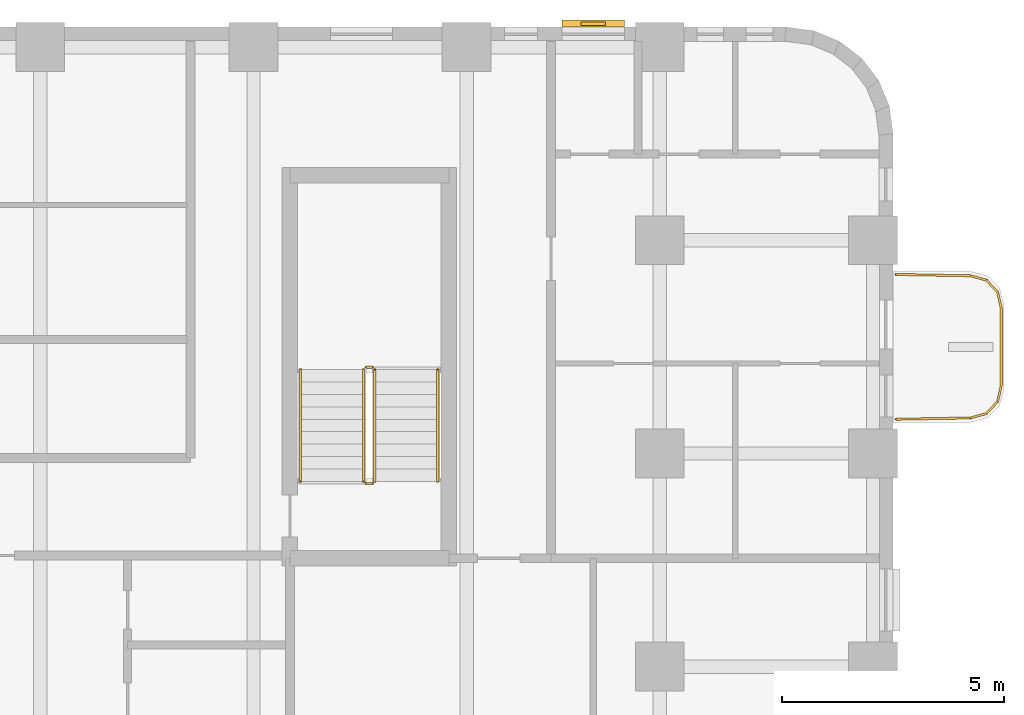
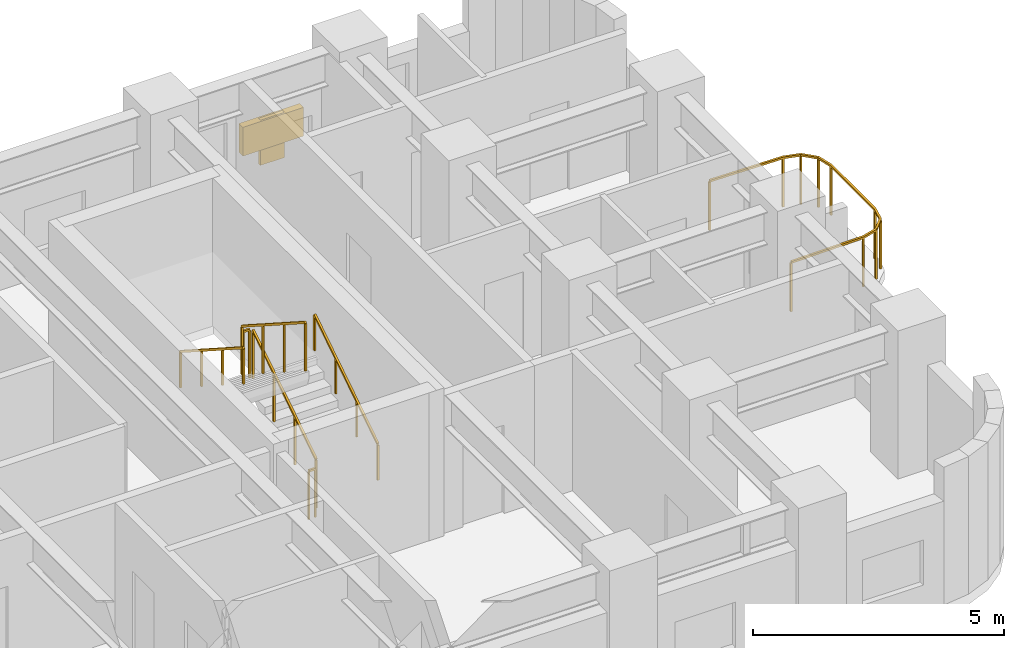
# One storey, part 12 of 12: 7 railings, 2 shading devices.
"""IFC4 building model written with IfcOpenShell, lengths in metres."""

from ifc_helpers import new_model, si_unit, direction, frame, origin, origin_2d, place, context, subcontext, project, spatial, rectangle, extrude, material, type_object, element, save


model = new_model("IFC4")

# Units and contexts
model_context = context("Model", 3, precision=1e-05, world=origin(), true_north=direction((0.0, 1.0)))
body_context = subcontext(model_context, "Body", "Model", "MODEL_VIEW")
ifc_project = project(units=[si_unit("LENGTHUNIT", "METRE"), si_unit("AREAUNIT", "SQUARE_METRE"), si_unit("VOLUMEUNIT", "CUBIC_METRE"), si_unit("PLANEANGLEUNIT", "RADIAN"), si_unit("MASSUNIT", "GRAM", prefix="KILO")], contexts=[model_context])

# Site, building, storey
site_placement = place(None, origin())
site = spatial("IfcSite", under=ifc_project, at=site_placement, CompositionType="ELEMENT")
building_placement = place(site_placement, origin())
building = spatial("IfcBuilding", under=site, at=building_placement, Name="Orvandelia Arch Residences", CompositionType="ELEMENT")
storey_placement = place(building_placement, frame((0.0, 0.0, 71.800048828125)))
storey = spatial("IfcBuildingStorey", under=building, at=storey_placement, Name="L18", CompositionType="ELEMENT", Elevation=71.800048828125)

# Railings
ifc_material_1 = material(Name="Marine-Grade Stainless Steel 316", Category="steel")
railing_type_1 = type_object("IfcRailingType", Name="GRD-BAL-1200", PredefinedType="BALUSTRADE", material=ifc_material_1)
railing_1_placement = place(storey_placement, frame((57.671875, 39.169677734375, 0.0)))
element("IfcRailing", 1, at=railing_1_placement, inside=storey, type_object=railing_type_1, Name="Safety Balustrade Guard GRD-L18-BAL-L18-E1-1", PredefinedType="BALUSTRADE", context=body_context, shape_type="SweptSolid", body=[
    extrude(rectangle(XDim=0.048095703125, YDim=0.048095703125, at=origin_2d()), frame((0.0, 0.0, 1.19580078125), z_axis=(0.999837384468, 0.018033430643, 0.0), x_axis=(-0.018033430643, 0.999837384468, 0.0)), (0.0, 0.0, 1.0), 1.6787109375),
    extrude(rectangle(XDim=0.048095703125, YDim=0.048095703125, at=origin_2d()), frame((1.678466796875, 0.0302734375, 1.19580078125), z_axis=(0.963441293861, 0.267919527627, 0.0), x_axis=(-0.267919527627, 0.963441293861, 0.0)), (0.0, 0.0, 1.0), 0.365478515625),
    extrude(rectangle(XDim=0.048095703125, YDim=0.048095703125, at=origin_2d()), frame((2.030517578125, 0.128173828125, 1.19580078125), z_axis=(0.688296224633, 0.725429739642, 0.0), x_axis=(-0.725429739642, 0.688296224633, 0.0)), (0.0, 0.0, 1.0), 0.3681640625),
    extrude(rectangle(XDim=0.048095703125, YDim=0.048095703125, at=origin_2d()), frame((2.283935546875, 0.395263671875, 1.19580078125), z_axis=(0.221225034864, 0.975222786828, 0.0), x_axis=(-0.975222786828, 0.221225034864, 0.0)), (0.0, 0.0, 1.0), 0.373046875),
    extrude(rectangle(XDim=0.048095703125, YDim=0.048095703125, at=origin_2d()), frame((2.366455078125, 0.759033203125, 1.19580078125), z_axis=(0.0, 1.0, 0.0), x_axis=(-1.0, 0.0, 0.0)), (0.0, 0.0, 1.0), 1.74267578125),
    extrude(rectangle(XDim=0.048095703125, YDim=0.048095703125, at=origin_2d()), frame((2.366455078125, 2.501708984375, 1.19580078125), z_axis=(-0.221225034864, 0.975222786828, 0.0), x_axis=(-0.975222786828, -0.221225034864, 0.0)), (0.0, 0.0, 1.0), 0.373046875),
    extrude(rectangle(XDim=0.048095703125, YDim=0.048095703125, at=origin_2d()), frame((2.283935546875, 2.865478515625, 1.19580078125), z_axis=(-0.688627404251, 0.725115368831, 0.0), x_axis=(-0.725115368831, -0.688627404251, 0.0)), (0.0, 0.0, 1.0), 0.367919921875),
    extrude(rectangle(XDim=0.048095703125, YDim=0.048095703125, at=origin_2d()), frame((2.030517578125, 3.13232421875, 1.19580078125), z_axis=(-0.963441293861, 0.267919527627, 0.0), x_axis=(-0.267919527627, -0.963441293861, 0.0)), (0.0, 0.0, 1.0), 0.365478515625),
    extrude(rectangle(XDim=0.048095703125, YDim=0.048095703125, at=origin_2d()), frame((1.678466796875, 3.230224609375, 1.19580078125), z_axis=(-0.999834751713, 0.018178813668, 0.0), x_axis=(-0.018178813668, -0.999834751713, 0.0)), (0.0, 0.0, 1.0), 1.6787109375),
    extrude(rectangle(XDim=0.0419921875, YDim=0.0419921875, at=origin_2d()), origin(), (0.0, 0.0, 1.0), 1.171875),
    extrude(rectangle(XDim=0.0419921875, YDim=0.0419921875, at=origin_2d()), frame((1.678466796875, 0.0302734375, 0.0)), (0.0, 0.0, 1.0), 1.171875),
    extrude(rectangle(XDim=0.0419921875, YDim=0.0419921875, at=origin_2d()), frame((2.030517578125, 0.128173828125, 0.0)), (0.0, 0.0, 1.0), 1.171875),
    extrude(rectangle(XDim=0.0419921875, YDim=0.0419921875, at=origin_2d()), frame((2.283935546875, 0.395263671875, 0.0)), (0.0, 0.0, 1.0), 1.171875),
    extrude(rectangle(XDim=0.0419921875, YDim=0.0419921875, at=origin_2d()), frame((2.366455078125, 0.759033203125, 0.0)), (0.0, 0.0, 1.0), 1.171875),
    extrude(rectangle(XDim=0.0419921875, YDim=0.0419921875, at=origin_2d()), frame((2.366455078125, 2.501708984375, 0.0)), (0.0, 0.0, 1.0), 1.171875),
    extrude(rectangle(XDim=0.0419921875, YDim=0.0419921875, at=origin_2d()), frame((2.283935546875, 2.865478515625, 0.0)), (0.0, 0.0, 1.0), 1.171875),
    extrude(rectangle(XDim=0.0419921875, YDim=0.0419921875, at=origin_2d()), frame((2.030517578125, 3.13232421875, 0.0)), (0.0, 0.0, 1.0), 1.171875),
    extrude(rectangle(XDim=0.0419921875, YDim=0.0419921875, at=origin_2d()), frame((1.678466796875, 3.230224609375, 0.0)), (0.0, 0.0, 1.0), 1.171875),
    extrude(rectangle(XDim=0.0419921875, YDim=0.0419921875, at=origin_2d()), frame((0.0, 3.2607421875, 0.0)), (0.0, 0.0, 1.0), 1.171875),
])
ifc_material_2 = material(Name="Brushed Stainless Steel 304", Category="steel")
railing_type_2 = type_object("IfcRailingType", Name="RL-STAIR-GD1120", PredefinedType="GUARDRAIL", material=ifc_material_2)
railing_2_placement = place(storey_placement, frame((45.929931640625, 37.77001953125, 0.179931640625)))
element("IfcRailing", 2, at=railing_2_placement, inside=storey, type_object=railing_type_2, Name="L18 ST-3 stair guard 1", PredefinedType="GUARDRAIL", context=body_context, shape_type="SweptSolid", body=[
    extrude(rectangle(XDim=0.048095703125, YDim=0.048095703125, at=origin_2d()), frame((0.0, 0.0, 1.17578125), z_axis=(0.0, 0.841162588446, 0.540782303519), x_axis=(-1.0, 0.0, 0.0)), (0.0, 0.0, 1.0), 2.995849609375),
    extrude(rectangle(XDim=0.0419921875, YDim=0.0419921875, at=origin_2d()), origin(), (0.0, 0.0, 1.0), 1.15185546875),
    extrude(rectangle(XDim=0.0419921875, YDim=0.0419921875, at=origin_2d()), frame((0.0, 0.840087890625, 0.5400390625)), (0.0, 0.0, 1.0), 1.15185546875),
    extrude(rectangle(XDim=0.0419921875, YDim=0.0419921875, at=origin_2d()), frame((0.0, 1.679931640625, 1.080078125)), (0.0, 0.0, 1.0), 1.15185546875),
    extrude(rectangle(XDim=0.0419921875, YDim=0.0419921875, at=origin_2d()), frame((0.0, 2.52001953125, 1.6201171875)), (0.0, 0.0, 1.0), 1.15185546875),
])
railing_3_placement = place(storey_placement, frame((45.8798828125, 40.340087890625, 1.800048828125)))
element("IfcRailing", 3, at=railing_3_placement, inside=storey, type_object=railing_type_2, Name="L18 ST-3 stair guard 2", PredefinedType="GUARDRAIL", context=body_context, shape_type="SweptSolid", body=[
    extrude(rectangle(XDim=0.048095703125, YDim=0.048095703125, at=origin_2d()), frame((0.0, 0.0, 1.17578125), z_axis=(-1.0, 0.0, 0.0), x_axis=(0.0, -1.0, 0.0)), (0.0, 0.0, 1.0), 0.14990234375),
    extrude(rectangle(XDim=0.0419921875, YDim=0.0419921875, at=origin_2d()), origin(), (0.0, 0.0, 1.0), 1.15185546875),
    extrude(rectangle(XDim=0.0419921875, YDim=0.0419921875, at=origin_2d()), frame((-0.14990234375, 0.0, 0.0)), (0.0, 0.0, 1.0), 1.15185546875),
])
railing_4_placement = place(storey_placement, frame((45.679931640625, 40.2900390625, 1.97998046875)))
element("IfcRailing", 4, at=railing_4_placement, inside=storey, type_object=railing_type_2, Name="L18 ST-3 stair guard 3", PredefinedType="GUARDRAIL", context=body_context, shape_type="SweptSolid", body=[
    extrude(rectangle(XDim=0.048095703125, YDim=0.048095703125, at=origin_2d()), frame((0.0, 0.0, 1.17578125), z_axis=(0.0, -0.841199657755, 0.540724639528), x_axis=(1.0, 0.0, 0.0)), (0.0, 0.0, 1.0), 2.995849609375),
    extrude(rectangle(XDim=0.0419921875, YDim=0.0419921875, at=origin_2d()), origin(), (0.0, 0.0, 1.0), 1.15185546875),
    extrude(rectangle(XDim=0.0419921875, YDim=0.0419921875, at=origin_2d()), frame((0.0, -0.840087890625, 0.5400390625)), (0.0, 0.0, 1.0), 1.15185546875),
    extrude(rectangle(XDim=0.0419921875, YDim=0.0419921875, at=origin_2d()), frame((0.0, -1.679931640625, 1.079833984375)), (0.0, 0.0, 1.0), 1.15185546875),
    extrude(rectangle(XDim=0.0419921875, YDim=0.0419921875, at=origin_2d()), frame((0.0, -2.52001953125, 1.619873046875)), (0.0, 0.0, 1.0), 1.15185546875),
])
railing_5_placement = place(storey_placement, frame((45.8798828125, 37.719970703125, 0.0)))
element("IfcRailing", 5, at=railing_5_placement, inside=storey, type_object=railing_type_2, Name="L18 ST-3 stair guard 4", PredefinedType="GUARDRAIL", context=body_context, shape_type="SweptSolid", body=[
    extrude(rectangle(XDim=0.048095703125, YDim=0.048095703125, at=origin_2d()), frame((0.0, 0.0, 1.17578125), z_axis=(-1.0, 0.0, 0.0), x_axis=(0.0, -1.0, 0.0)), (0.0, 0.0, 1.0), 0.14990234375),
    extrude(rectangle(XDim=0.0419921875, YDim=0.0419921875, at=origin_2d()), origin(), (0.0, 0.0, 1.0), 1.15185546875),
    extrude(rectangle(XDim=0.0419921875, YDim=0.0419921875, at=origin_2d()), frame((-0.14990234375, 0.0, 0.0)), (0.0, 0.0, 1.0), 1.15185546875),
])
railing_type_3 = type_object("IfcRailingType", Name="RL-STAIR-HR920", PredefinedType="HANDRAIL", material=ifc_material_2)
railing_6_placement = place(storey_placement, frame((47.35009765625, 37.77001953125, 0.35986328125)))
element("IfcRailing", 6, at=railing_6_placement, inside=storey, type_object=railing_type_3, Name="L18 ST-3 stair handrail 1", PredefinedType="HANDRAIL", context=body_context, shape_type="SweptSolid", body=[
    extrude(rectangle(XDim=0.048095703125, YDim=0.048095703125, at=origin_2d()), frame((0.0, 0.0, 0.8759765625), z_axis=(0.0, 0.841162588446, 0.540782303519), x_axis=(-1.0, 0.0, 0.0)), (0.0, 0.0, 1.0), 2.995849609375),
    extrude(rectangle(XDim=0.0419921875, YDim=0.0419921875, at=origin_2d()), origin(), (0.0, 0.0, 1.0), 0.851806640625),
    extrude(rectangle(XDim=0.0419921875, YDim=0.0419921875, at=origin_2d()), frame((0.0, 0.840087890625, 0.5400390625)), (0.0, 0.0, 1.0), 0.851806640625),
    extrude(rectangle(XDim=0.0419921875, YDim=0.0419921875, at=origin_2d()), frame((0.0, 1.679931640625, 1.080078125)), (0.0, 0.0, 1.0), 0.851806640625),
    extrude(rectangle(XDim=0.0419921875, YDim=0.0419921875, at=origin_2d()), frame((0.0, 2.52001953125, 1.6201171875)), (0.0, 0.0, 1.0), 0.851806640625),
])
railing_7_placement = place(storey_placement, frame((44.260009765625, 40.2900390625, 2.159912109375)))
element("IfcRailing", 7, at=railing_7_placement, inside=storey, type_object=railing_type_3, Name="L18 ST-3 stair handrail 2", PredefinedType="HANDRAIL", context=body_context, shape_type="SweptSolid", body=[
    extrude(rectangle(XDim=0.048095703125, YDim=0.048095703125, at=origin_2d()), frame((0.0, 0.0, 0.8759765625), z_axis=(0.0, -0.841162588446, 0.540782303519), x_axis=(1.0, 0.0, 0.0)), (0.0, 0.0, 1.0), 2.995849609375),
    extrude(rectangle(XDim=0.0419921875, YDim=0.0419921875, at=origin_2d()), origin(), (0.0, 0.0, 1.0), 0.851806640625),
    extrude(rectangle(XDim=0.0419921875, YDim=0.0419921875, at=origin_2d()), frame((0.0, -0.840087890625, 0.5400390625)), (0.0, 0.0, 1.0), 0.851806640625),
    extrude(rectangle(XDim=0.0419921875, YDim=0.0419921875, at=origin_2d()), frame((0.0, -1.679931640625, 1.080078125)), (0.0, 0.0, 1.0), 0.851806640625),
    extrude(rectangle(XDim=0.0419921875, YDim=0.0419921875, at=origin_2d()), frame((0.0, -2.52001953125, 1.6201171875)), (0.0, 0.0, 1.0), 0.851806640625),
])

# Shading devices
ifc_material_3 = material(Name="Anodised Champagne-Bronze Extruded Aluminium", Category="aluminium")
shading_device_type_1 = type_object("IfcShadingDeviceType", Name="SHD-JALOUSIE-SCREEN", PredefinedType="JALOUSIE", material=ifc_material_3)
shading_device_1_placement = place(storey_placement, frame((50.85009765625, 48.080078125, 1.0498046875), z_axis=(0.0, 0.0, 1.0), x_axis=(1.0, 0.0, 0.0)))
element("IfcShadingDevice", 8, at=shading_device_1_placement, inside=storey, type_object=shading_device_type_1, Name="Bronze Jalousie Sun-Shade L18-003", PredefinedType="JALOUSIE", context=body_context, shape_type="SweptSolid", body=[
    extrude(rectangle(XDim=1.39990234375, YDim=0.159912109375, at=origin_2d()), origin(), (0.0, 0.0, 1.0), 0.699951171875),
])
ifc_material_4 = material(Name="Marine-Grade Perforated Aluminium Storm Shutter", Category="aluminium")
shading_device_type_2 = type_object("IfcShadingDeviceType", Name="SHD-STORM-SHUTTER", PredefinedType="SHUTTER", material=ifc_material_4)
shading_device_2_placement = place(storey_placement, frame((50.85009765625, 48.080078125, 0.64990234375), z_axis=(0.0, 0.0, 1.0), x_axis=(1.0, 0.0, 0.0)))
element("IfcShadingDevice", 9, at=shading_device_2_placement, inside=storey, type_object=shading_device_type_2, Name="Operable Typhoon Storm Shutter L18-003", PredefinedType="SHUTTER", context=body_context, shape_type="SweptSolid", body=[
    extrude(rectangle(XDim=0.550048828125, YDim=0.080078125, at=origin_2d()), origin(), (0.0, 0.0, 1.0), 1.10009765625),
])

save(model, "model.ifc")
